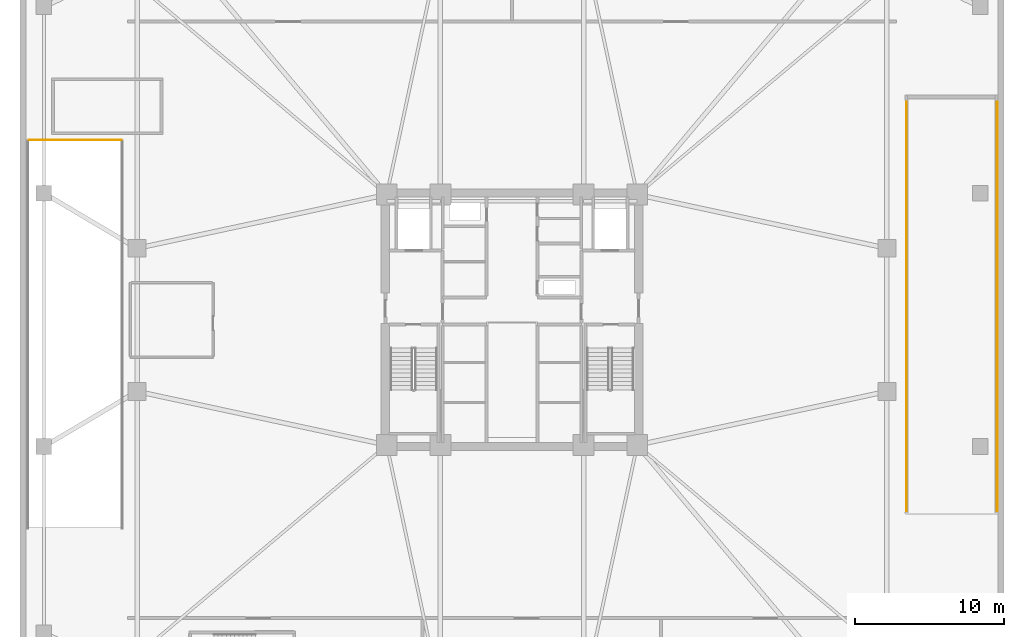
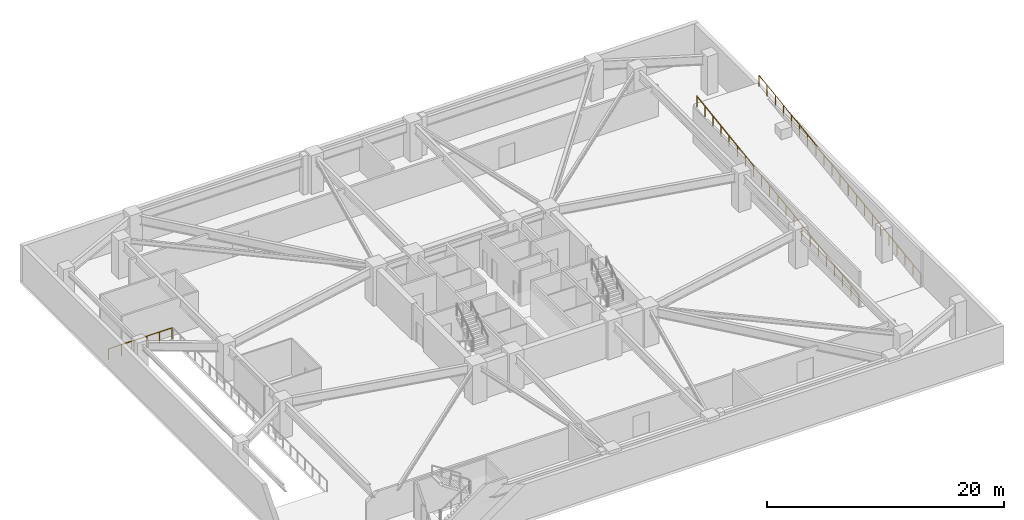
# One storey, part 9 of 9: 3 railings.
"""IFC4 building model written with IfcOpenShell, lengths in metres."""

import ifcopenshell
import ifcopenshell.guid

model = None  # the IFC model being written
_history = None  # IfcOwnerHistory: only IFC2X3 demands one
_inside = {}  # id of a spatial element -> (the spatial element, [elements in it])
_under = {}  # id of a project, library or spatial element -> (it, [spatial elements below it])
_declared = {}  # id of a project -> (the project, [libraries it declares])
_typed = {}  # id of a type object -> (the type object, [elements of that type])
_made_of = {}  # id of a material, layer set ... -> (it, [elements and type objects made of it])


def new_model(schema):
    """Start an empty IFC model of exactly this schema.

    Asked for "IFC4X3", IfcOpenShell would pick the latest addendum, in which some entities
    have other attributes; the version numbers below select the first issue.
    IFC2X3 requires an IfcOwnerHistory on every rooted entity: one is made here for all.
    """
    global model, _history
    if schema == "IFC4X3":
        model = ifcopenshell.file(schema_version=(4, 3, 0, 0))
    else:
        model = ifcopenshell.file(schema=schema)
    _inside.clear()
    _under.clear()
    _declared.clear()
    _typed.clear()
    _made_of.clear()
    _history = None
    if model.schema == "IFC2X3":
        org = make("IfcOrganization", Name="unknown")
        user = make(
            "IfcPersonAndOrganization",
            ThePerson=make("IfcPerson", FamilyName="unknown"),
            TheOrganization=org,
        )
        app = make(
            "IfcApplication",
            ApplicationDeveloper=org,
            Version="unknown",
            ApplicationFullName="unknown",
            ApplicationIdentifier="unknown",
        )
        _history = make(
            "IfcOwnerHistory",
            OwningUser=user,
            OwningApplication=app,
            ChangeAction="ADDED",
            CreationDate=0,
        )
    return model


def make(cls, **values):
    """One entity of the class cls with the attributes given. An attribute that is None is left unset."""
    return model.create_entity(
        cls, **{name: value for name, value in values.items() if value is not None}
    )


def rooted(cls, **values):
    """An entity with a GlobalId (a new one), such as an element, a storey or a relation."""
    return make(cls, GlobalId=ifcopenshell.guid.new(), OwnerHistory=_history, **values)


def si_unit(unit_type, name, prefix=None):
    """IfcSIUnit, for example si_unit("LENGTHUNIT", "METRE", prefix="MILLI")."""
    return make("IfcSIUnit", UnitType=unit_type, Prefix=prefix, Name=name)


def assignment(units):
    """IfcUnitAssignment: the units of a project."""
    return None if units is None else make("IfcUnitAssignment", Units=units)


def point(xyz):
    """IfcCartesianPoint."""
    return None if xyz is None else make("IfcCartesianPoint", Coordinates=xyz)


def direction(xyz):
    """IfcDirection."""
    return None if xyz is None else make("IfcDirection", DirectionRatios=xyz)


def frame(location, z_axis=None, x_axis=None):
    """IfcAxis2Placement3D, a coordinate frame: its origin and axes. An axis left out is left unset."""
    return make(
        "IfcAxis2Placement3D",
        Location=point(location),
        Axis=direction(z_axis),
        RefDirection=direction(x_axis),
    )


def frame_2d(location, x_axis=None):
    """IfcAxis2Placement2D, a coordinate frame in the plane: its origin and x axis."""
    return make(
        "IfcAxis2Placement2D", Location=point(location), RefDirection=direction(x_axis)
    )


def origin():
    """The frame at (0, 0, 0) with its axes left unset."""
    return frame((0.0, 0.0, 0.0))


def origin_2d():
    """The frame at (0, 0) in the plane with its x axis left unset."""
    return frame_2d((0.0, 0.0))


def place(relative_to, where):
    """IfcLocalPlacement: puts the frame where relative to a parent placement (None: the world)."""
    return make(
        "IfcLocalPlacement", PlacementRelTo=relative_to, RelativePlacement=where
    )


def context(
    kind, dimensions, precision=None, world=None, true_north=None, identifier=None
):
    """IfcGeometricRepresentationContext, for example the 3D "Model" context."""
    return make(
        "IfcGeometricRepresentationContext",
        ContextIdentifier=identifier,
        ContextType=kind,
        CoordinateSpaceDimension=dimensions,
        Precision=precision,
        WorldCoordinateSystem=world,
        TrueNorth=true_north,
    )


def subcontext(parent, identifier, kind, view, scale=None):
    """IfcGeometricRepresentationSubContext, for example "Body" below "Model"."""
    return make(
        "IfcGeometricRepresentationSubContext",
        ContextIdentifier=identifier,
        ContextType=kind,
        ParentContext=parent,
        TargetScale=scale,
        TargetView=view,
    )


def project(units=None, contexts=None):
    """IfcProject with its units and contexts."""
    return rooted(
        "IfcProject",
        Name="project",
        RepresentationContexts=contexts,
        UnitsInContext=assignment(units),
    )


def spatial(cls, under=None, at=None, **own):
    """A site, building, storey or space (cls), placed at a placement, below another one or the project."""
    s = rooted(cls, ObjectPlacement=at, **own)
    if under is not None:
        _under.setdefault(under.id(), (under, []))[1].append(s)
    return s


def profile(cls, at=None, kind="AREA", **sizes):
    """A parametric profile (cls). Its sizes go by their IFC names, for example OverallWidth=200.0."""
    return make(cls, ProfileType=kind, Position=at, **sizes)


def circle(**sizes):
    """IfcCircleProfileDef."""
    return profile("IfcCircleProfileDef", **sizes)


def extrude(swept, where, along, depth):
    """IfcExtrudedAreaSolid: the profile swept, set in the frame where, extruded along a direction by depth."""
    return make(
        "IfcExtrudedAreaSolid",
        SweptArea=swept,
        Position=where,
        ExtrudedDirection=direction(along),
        Depth=depth,
    )


def shape(context_of_items, identifier, shape_type, items):
    """IfcShapeRepresentation: the items that make up one representation, for example the "Body"."""
    return make(
        "IfcShapeRepresentation",
        ContextOfItems=context_of_items,
        RepresentationIdentifier=identifier,
        RepresentationType=shape_type,
        Items=items,
    )


def material(Name=None, Category=None):
    """IfcMaterial."""
    return make("IfcMaterial", Name=Name, Category=Category)


def made_of(thing, what):
    """Note that an element or type object is made of a material, layer set ...; save() writes the relation."""
    if what is not None:
        _made_of.setdefault(what.id(), (what, []))[1].append(thing)
    return thing


def type_object(cls, material=None, **own):
    """A type object (cls), such as IfcWallType, which elements share."""
    return made_of(rooted(cls, **own), material)


def element(
    cls,
    number,
    at=None,
    inside=None,
    cuts=None,
    type_object=None,
    material=None,
    context=None,
    identifier="Body",
    shape_type=None,
    held_by="IfcProductDefinitionShape",
    body=None,
    shapes=None,
    **own,
):
    """One element of the class cls, such as IfcWall. Its Tag is "e" and its number.

    at: its placement. inside: the storey or other place that contains it. cuts: it is an
    opening in that element (IfcRelVoidsElement). A single representation is given by context,
    identifier, shape_type and body (its items); several are given by shapes. held_by: the class
    of the entity that holds the representations. save() writes the other relations.
    """
    e = rooted(cls, Tag="e%d" % number, ObjectPlacement=at, **own)
    if body is not None:
        shapes = [shape(context, identifier, shape_type, body)]
    if shapes is not None:
        e.Representation = make(held_by, Representations=shapes)
    if inside is not None:
        _inside.setdefault(inside.id(), (inside, []))[1].append(e)
    if cuts is not None:
        rooted(
            "IfcRelVoidsElement", RelatingBuildingElement=cuts, RelatedOpeningElement=e
        )
    if type_object is not None:
        _typed.setdefault(type_object.id(), (type_object, []))[1].append(e)
    return made_of(e, material)


def aggregate(whole, parts):
    """IfcRelAggregates: a whole, such as a stair, and the parts it consists of."""
    return rooted("IfcRelAggregates", RelatingObject=whole, RelatedObjects=parts)


def save(model, path):
    """Write the relations noted so far, then the file.

    IfcRelAggregates (storeys below a building ...), IfcRelContainedInSpatialStructure (elements
    in a storey), IfcRelDefinesByType, IfcRelAssociatesMaterial and IfcRelDeclares: one each for
    every whole, place, type object, material and project.
    """
    for whole, parts in _under.values():
        aggregate(whole, parts)
    for where, things in _inside.values():
        rooted(
            "IfcRelContainedInSpatialStructure",
            RelatedElements=things,
            RelatingStructure=where,
        )
    for kind, things in _typed.values():
        rooted("IfcRelDefinesByType", RelatedObjects=things, RelatingType=kind)
    for what, things in _made_of.values():
        rooted("IfcRelAssociatesMaterial", RelatedObjects=things, RelatingMaterial=what)
    for by, libraries in _declared.values():
        rooted("IfcRelDeclares", RelatingContext=by, RelatedDefinitions=libraries)
    model.write(path)


model = new_model("IFC4")

# Units and contexts
model_context = context("Model", 3, precision=1e-05, world=origin(), true_north=direction((0.0, 1.0)))
body_context = subcontext(model_context, "Body", "Model", "MODEL_VIEW")
ifc_project = project(units=[si_unit("LENGTHUNIT", "METRE"), si_unit("AREAUNIT", "SQUARE_METRE"), si_unit("VOLUMEUNIT", "CUBIC_METRE"), si_unit("PLANEANGLEUNIT", "RADIAN"), si_unit("MASSUNIT", "GRAM", prefix="KILO")], contexts=[model_context])

# Site, building, storey
site_placement = place(None, origin())
site = spatial("IfcSite", under=ifc_project, at=site_placement, CompositionType="ELEMENT")
building_placement = place(site_placement, origin())
building = spatial("IfcBuilding", under=site, at=building_placement, Name="Cairnveth Concourse Tower", CompositionType="ELEMENT")
storey_placement = place(building_placement, frame((0.0, 0.0, -4.0)))
storey = spatial("IfcBuildingStorey", under=building, at=storey_placement, Name="B01", CompositionType="ELEMENT", Elevation=-4.0)

# Railings
ifc_material = material(Name="Steel Grade 350", Category="steel")
railing_type = type_object("IfcRailingType", Name="STAIR GUARDRAIL 1150", PredefinedType="GUARDRAIL", material=ifc_material)
railing_1_placement = place(storey_placement, frame((19.60009765625, 51.06005859375, 0.0)))
element("IfcRailing", 1, at=railing_1_placement, inside=storey, type_object=railing_type, Name="Basement B01 Ramp Well Guardrail N", PredefinedType="GUARDRAIL", context=body_context, shape_type="SweptSolid", body=[
    extrude(circle(Radius=0.02490234375, at=origin_2d()), frame((0.0, 0.0, 1.125), z_axis=(1.0, 0.0, 0.0), x_axis=(0.0, 1.0, 0.0)), (0.0, 0.0, 1.0), 6.199951171875),
    extrude(circle(Radius=0.0224609375, at=origin_2d()), origin(), (0.0, 0.0, 1.0), 1.099853515625),
    extrude(circle(Radius=0.0224609375, at=origin_2d()), frame((1.239990234375, 0.0, 0.0)), (0.0, 0.0, 1.0), 1.099853515625),
    extrude(circle(Radius=0.0224609375, at=origin_2d()), frame((2.47998046875, 0.0, 0.0)), (0.0, 0.0, 1.0), 1.099853515625),
    extrude(circle(Radius=0.0224609375, at=origin_2d()), frame((3.719970703125, 0.0, 0.0)), (0.0, 0.0, 1.0), 1.099853515625),
    extrude(circle(Radius=0.0224609375, at=origin_2d()), frame((4.9599609375, 0.0, 0.0)), (0.0, 0.0, 1.0), 1.099853515625),
    extrude(circle(Radius=0.0224609375, at=origin_2d()), frame((6.199951171875, 0.0, 0.0)), (0.0, 0.0, 1.0), 1.099853515625),
])
railing_2_placement = place(storey_placement, frame((78.4599609375, 26.199951171875, 0.030029296875)))
element("IfcRailing", 2, at=railing_2_placement, inside=storey, type_object=railing_type, Name="Ramp B01-L00 West Guardrail", PredefinedType="GUARDRAIL", context=body_context, shape_type="SweptSolid", body=[
    extrude(circle(Radius=0.02490234375, at=origin_2d()), frame((0.0, 0.0, 1.125), z_axis=(0.0, 0.98997170995, 0.14126575487), x_axis=(-1.0, 0.0, 0.0)), (0.0, 0.0, 1.0), 27.677734375),
    extrude(circle(Radius=0.0224609375, at=origin_2d()), origin(), (0.0, 0.0, 1.0), 1.099853515625),
    extrude(circle(Radius=0.0224609375, at=origin_2d()), frame((0.0, 1.3701171875, 0.195556640625)), (0.0, 0.0, 1.0), 1.099853515625),
    extrude(circle(Radius=0.0224609375, at=origin_2d()), frame((0.0, 2.739990234375, 0.39111328125)), (0.0, 0.0, 1.0), 1.099853515625),
    extrude(circle(Radius=0.0224609375, at=origin_2d()), frame((0.0, 4.110107421875, 0.58642578125)), (0.0, 0.0, 1.0), 1.099853515625),
    extrude(circle(Radius=0.0224609375, at=origin_2d()), frame((0.0, 5.47998046875, 0.781982421875)), (0.0, 0.0, 1.0), 1.099853515625),
    extrude(circle(Radius=0.0224609375, at=origin_2d()), frame((0.0, 6.85009765625, 0.9775390625)), (0.0, 0.0, 1.0), 1.099853515625),
    extrude(circle(Radius=0.0224609375, at=origin_2d()), frame((0.0, 8.219970703125, 1.1728515625)), (0.0, 0.0, 1.0), 1.099853515625),
    extrude(circle(Radius=0.0224609375, at=origin_2d()), frame((0.0, 9.590087890625, 1.368408203125)), (0.0, 0.0, 1.0), 1.099853515625),
    extrude(circle(Radius=0.0224609375, at=origin_2d()), frame((0.0, 10.9599609375, 1.56396484375)), (0.0, 0.0, 1.0), 1.099853515625),
    extrude(circle(Radius=0.0224609375, at=origin_2d()), frame((0.0, 12.330078125, 1.759521484375)), (0.0, 0.0, 1.0), 1.099853515625),
    extrude(circle(Radius=0.0224609375, at=origin_2d()), frame((0.0, 13.7001953125, 1.955078125)), (0.0, 0.0, 1.0), 1.099853515625),
    extrude(circle(Radius=0.0224609375, at=origin_2d()), frame((0.0, 15.070068359375, 2.150390625)), (0.0, 0.0, 1.0), 1.099853515625),
    extrude(circle(Radius=0.0224609375, at=origin_2d()), frame((0.0, 16.440185546875, 2.345947265625)), (0.0, 0.0, 1.0), 1.099853515625),
    extrude(circle(Radius=0.0224609375, at=origin_2d()), frame((0.0, 17.81005859375, 2.54150390625)), (0.0, 0.0, 1.0), 1.099853515625),
    extrude(circle(Radius=0.0224609375, at=origin_2d()), frame((0.0, 19.18017578125, 2.73681640625)), (0.0, 0.0, 1.0), 1.099853515625),
    extrude(circle(Radius=0.0224609375, at=origin_2d()), frame((0.0, 20.550048828125, 2.932373046875)), (0.0, 0.0, 1.0), 1.099853515625),
    extrude(circle(Radius=0.0224609375, at=origin_2d()), frame((0.0, 21.920166015625, 3.1279296875)), (0.0, 0.0, 1.0), 1.099853515625),
    extrude(circle(Radius=0.0224609375, at=origin_2d()), frame((0.0, 23.2900390625, 3.323486328125)), (0.0, 0.0, 1.0), 1.099853515625),
    extrude(circle(Radius=0.0224609375, at=origin_2d()), frame((0.0, 24.66015625, 3.51904296875)), (0.0, 0.0, 1.0), 1.099853515625),
    extrude(circle(Radius=0.0224609375, at=origin_2d()), frame((0.0, 26.030029296875, 3.71435546875)), (0.0, 0.0, 1.0), 1.099853515625),
    extrude(circle(Radius=0.0224609375, at=origin_2d()), frame((0.0, 27.400146484375, 3.909912109375)), (0.0, 0.0, 1.0), 1.099853515625),
])
railing_3_placement = place(storey_placement, frame((84.5400390625, 26.199951171875, 0.030029296875)))
element("IfcRailing", 3, at=railing_3_placement, inside=storey, type_object=railing_type, Name="Ramp B01-L00 East Guardrail", PredefinedType="GUARDRAIL", context=body_context, shape_type="SweptSolid", body=[
    extrude(circle(Radius=0.02490234375, at=origin_2d()), frame((0.0, 0.0, 1.125), z_axis=(0.0, 0.98997170995, 0.14126575487), x_axis=(-1.0, 0.0, 0.0)), (0.0, 0.0, 1.0), 27.677734375),
    extrude(circle(Radius=0.0224609375, at=origin_2d()), origin(), (0.0, 0.0, 1.0), 1.099853515625),
    extrude(circle(Radius=0.0224609375, at=origin_2d()), frame((0.0, 1.3701171875, 0.195556640625)), (0.0, 0.0, 1.0), 1.099853515625),
    extrude(circle(Radius=0.0224609375, at=origin_2d()), frame((0.0, 2.739990234375, 0.39111328125)), (0.0, 0.0, 1.0), 1.099853515625),
    extrude(circle(Radius=0.0224609375, at=origin_2d()), frame((0.0, 4.110107421875, 0.58642578125)), (0.0, 0.0, 1.0), 1.099853515625),
    extrude(circle(Radius=0.0224609375, at=origin_2d()), frame((0.0, 5.47998046875, 0.781982421875)), (0.0, 0.0, 1.0), 1.099853515625),
    extrude(circle(Radius=0.0224609375, at=origin_2d()), frame((0.0, 6.85009765625, 0.9775390625)), (0.0, 0.0, 1.0), 1.099853515625),
    extrude(circle(Radius=0.0224609375, at=origin_2d()), frame((0.0, 8.219970703125, 1.1728515625)), (0.0, 0.0, 1.0), 1.099853515625),
    extrude(circle(Radius=0.0224609375, at=origin_2d()), frame((0.0, 9.590087890625, 1.368408203125)), (0.0, 0.0, 1.0), 1.099853515625),
    extrude(circle(Radius=0.0224609375, at=origin_2d()), frame((0.0, 10.9599609375, 1.56396484375)), (0.0, 0.0, 1.0), 1.099853515625),
    extrude(circle(Radius=0.0224609375, at=origin_2d()), frame((0.0, 12.330078125, 1.759521484375)), (0.0, 0.0, 1.0), 1.099853515625),
    extrude(circle(Radius=0.0224609375, at=origin_2d()), frame((0.0, 13.7001953125, 1.955078125)), (0.0, 0.0, 1.0), 1.099853515625),
    extrude(circle(Radius=0.0224609375, at=origin_2d()), frame((0.0, 15.070068359375, 2.150390625)), (0.0, 0.0, 1.0), 1.099853515625),
    extrude(circle(Radius=0.0224609375, at=origin_2d()), frame((0.0, 16.440185546875, 2.345947265625)), (0.0, 0.0, 1.0), 1.099853515625),
    extrude(circle(Radius=0.0224609375, at=origin_2d()), frame((0.0, 17.81005859375, 2.54150390625)), (0.0, 0.0, 1.0), 1.099853515625),
    extrude(circle(Radius=0.0224609375, at=origin_2d()), frame((0.0, 19.18017578125, 2.73681640625)), (0.0, 0.0, 1.0), 1.099853515625),
    extrude(circle(Radius=0.0224609375, at=origin_2d()), frame((0.0, 20.550048828125, 2.932373046875)), (0.0, 0.0, 1.0), 1.099853515625),
    extrude(circle(Radius=0.0224609375, at=origin_2d()), frame((0.0, 21.920166015625, 3.1279296875)), (0.0, 0.0, 1.0), 1.099853515625),
    extrude(circle(Radius=0.0224609375, at=origin_2d()), frame((0.0, 23.2900390625, 3.323486328125)), (0.0, 0.0, 1.0), 1.099853515625),
    extrude(circle(Radius=0.0224609375, at=origin_2d()), frame((0.0, 24.66015625, 3.51904296875)), (0.0, 0.0, 1.0), 1.099853515625),
    extrude(circle(Radius=0.0224609375, at=origin_2d()), frame((0.0, 26.030029296875, 3.71435546875)), (0.0, 0.0, 1.0), 1.099853515625),
    extrude(circle(Radius=0.0224609375, at=origin_2d()), frame((0.0, 27.400146484375, 3.909912109375)), (0.0, 0.0, 1.0), 1.099853515625),
])

save(model, "model.ifc")
